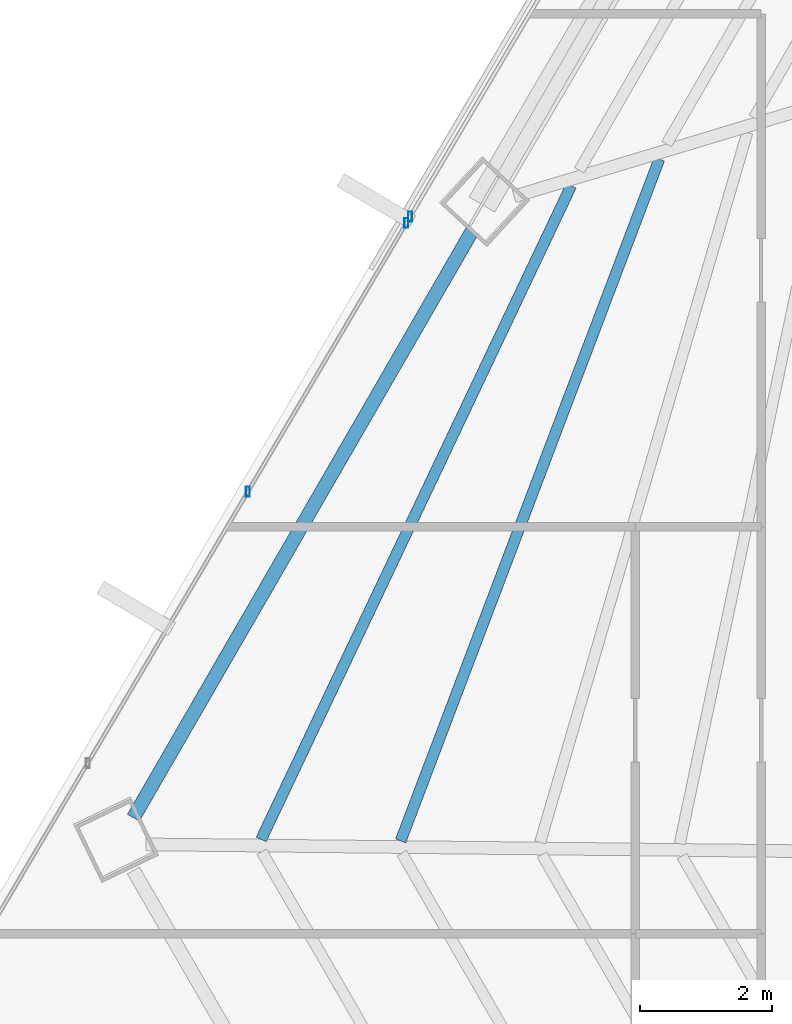
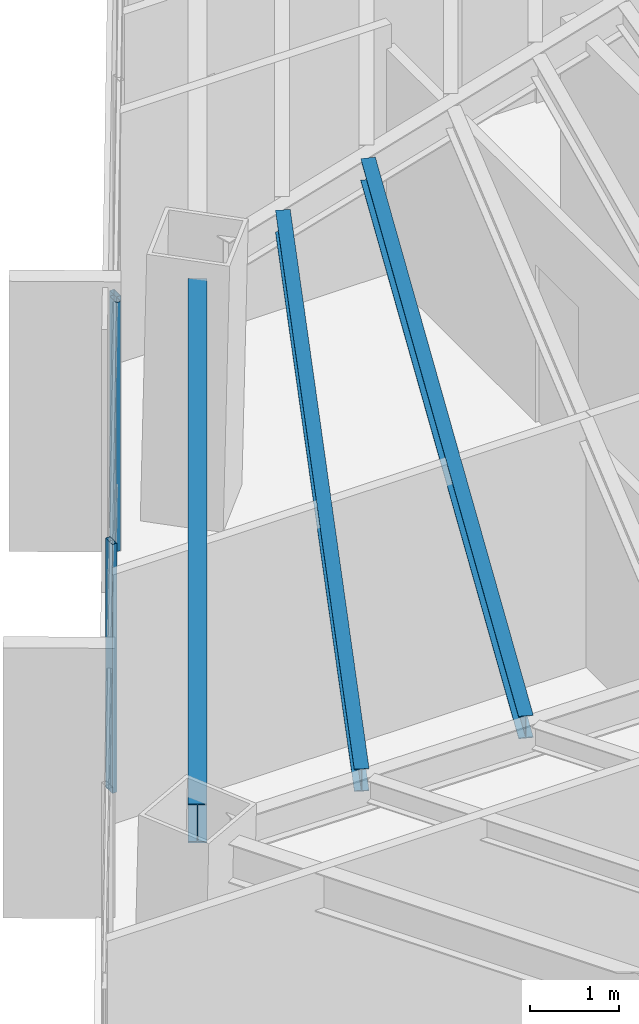
# One storey, part 12 of 41: 3 beams, 3 members, 2 elements without a shape of their own.
"""IFC4 building model written with IfcOpenShell, lengths in metres."""

from ifc_helpers import new_model, si_unit, direction, frame, origin, origin_2d, place, context, subcontext, project, spatial, hollow_rectangle, i_section, extrude, source, transform, mapped, material, material_profile, profile_set, type_object, type_shapes, element, aggregate, save


model = new_model("IFC4")

# Units and contexts
model_context = context("Model", 3, precision=1e-05, world=origin(), true_north=direction((0.0, 1.0)))
body_context = subcontext(model_context, "Body", "Model", "MODEL_VIEW")
ifc_project = project(units=[si_unit("LENGTHUNIT", "METRE"), si_unit("AREAUNIT", "SQUARE_METRE"), si_unit("VOLUMEUNIT", "CUBIC_METRE"), si_unit("PLANEANGLEUNIT", "RADIAN"), si_unit("MASSUNIT", "GRAM", prefix="KILO")], contexts=[model_context])

# Site, building, storey
site_placement = place(None, origin())
site = spatial("IfcSite", under=ifc_project, at=site_placement, CompositionType="ELEMENT")
building_placement = place(site_placement, origin())
building = spatial("IfcBuilding", under=site, at=building_placement, Name="Caelisora Broadcast Tower", CompositionType="ELEMENT")
storey_placement = place(building_placement, frame((0.0, 0.0, 180.39990234375)))
storey = spatial("IfcBuildingStorey", under=building, at=storey_placement, Name="L47", CompositionType="ELEMENT", Elevation=180.39990234375)

# Beams
ifc_material_1 = material(Name="Steel Grade 350 (AS/NZS 3679.1)", Category="steel")
ifc_material_profile_1 = material_profile(ifc_material_1, i_section(OverallWidth=0.208984375, OverallDepth=0.532958984375, WebThickness=0.01025390625, FlangeThickness=0.015625, at=origin_2d()), Name="Steel Grade 350 (AS/NZS 3679.1)")
ifc_profile_set_1 = profile_set([ifc_material_profile_1], Name="Steel Grade 350 (AS/NZS 3679.1)")
beam_type_1 = type_object("IfcBeamType", Name="PG05", PredefinedType="BEAM", material=ifc_profile_set_1)
shared_shape_1 = source(origin(), body_context, "Body", "SweptSolid", [
    extrude(i_section(OverallWidth=0.208984375, OverallDepth=0.532958984375, WebThickness=0.01025390625, FlangeThickness=0.015625, at=origin_2d()), origin(), (0.0, 0.0, 1.0), 10.239501953125),
])
type_shapes(beam_type_1, [shared_shape_1])
beam_1_placement = place(storey_placement, frame((21.0361328125, 26.81982421875, 3.133544921875), z_axis=(-0.500008646395, -0.866020411728, 0.0), x_axis=(0.866020411728, -0.500008646395, 0.0)))
element("IfcBeam", 1, at=beam_1_placement, inside=storey, type_object=beam_type_1, Name="L47 beam PG05", PredefinedType="BEAM", context=body_context, shape_type="MappedRepresentation", body=[
    mapped(shared_shape_1, transform((0.0, 0.0, 0.0), scale=1.0)),
])
ifc_material_profile_2 = material_profile(ifc_material_1, i_section(OverallWidth=0.166015625, OverallDepth=0.30712890625, WebThickness=0.006591796875, FlangeThickness=0.01171875, at=origin_2d()), Name="Steel Grade 350 (AS/NZS 3679.1)")
ifc_profile_set_2 = profile_set([ifc_material_profile_2], Name="Steel Grade 350 (AS/NZS 3679.1)")
beam_type_2 = type_object("IfcBeamType", Name="SB03", PredefinedType="JOIST", material=ifc_profile_set_2)
shared_shape_2 = source(origin(), body_context, "Body", "SweptSolid", [
    extrude(i_section(OverallWidth=0.166015625, OverallDepth=0.30712890625, WebThickness=0.006591796875, FlangeThickness=0.01171875, at=origin_2d()), origin(), (0.0, 0.0, 1.0), 11.01806640625),
])
beam_2_placement = place(storey_placement, frame((23.86279296875, 27.9033203125, 3.24658203125), z_axis=(-0.354777806598, -0.934950644657, 0.0), x_axis=(0.934950644657, -0.354777806598, 0.0)))
element("IfcBeam", 2, at=beam_2_placement, inside=storey, type_object=beam_type_2, Name="L47 beam SB03", PredefinedType="JOIST", context=body_context, shape_type="MappedRepresentation", body=[
    mapped(shared_shape_2, transform((0.0, 0.0, 0.0), scale=1.0)),
])
shared_shape_3 = source(origin(), body_context, "Body", "SweptSolid", [
    extrude(i_section(OverallWidth=0.166015625, OverallDepth=0.30712890625, WebThickness=0.006591796875, FlangeThickness=0.01171875, at=origin_2d()), origin(), (0.0, 0.0, 1.0), 10.932373046875),
])
type_shapes(beam_type_2, [shared_shape_2, shared_shape_3])
beam_3_placement = place(storey_placement, frame((22.53125, 27.501953125, 3.24658203125), z_axis=(-0.428546110992, -0.903519911653, 0.0), x_axis=(0.903519911653, -0.428546110992, 0.0)))
element("IfcBeam", 3, at=beam_3_placement, inside=storey, type_object=beam_type_2, Name="L47 beam SB03", PredefinedType="JOIST", context=body_context, shape_type="MappedRepresentation", body=[
    mapped(shared_shape_3, transform((0.0, 0.0, 0.0), scale=1.0)),
])

# Curtain wall, members
ifc_material_2 = material(Name="Unitised Aluminium and Low-E Glass Curtain Wall", Category="glass")
curtain_wall_type_1 = type_object("IfcCurtainWallType", Name="CW-Z3", PredefinedType="NOTDEFINED", material=ifc_material_2)
curtain_wall_1_placement = place(storey_placement, origin())
curtain_wall_1 = element("IfcCurtainWall", 4, at=curtain_wall_1_placement, inside=storey, type_object=curtain_wall_type_1, Name="L47 curtain wall CW-Z3", PredefinedType="NOTDEFINED")
ifc_material_3 = material(Name="Aluminium 6063-T6 Anodised Terracotta Bronze", Category="aluminium")
ifc_material_profile_3 = material_profile(ifc_material_3, hollow_rectangle(XDim=0.06005859375, YDim=0.14990234375, WallThickness=0.00341796875, at=origin_2d()), Name="Aluminium 6063-T6 Anodised Terracotta Bronze")
ifc_profile_set_3 = profile_set([ifc_material_profile_3], Name="Aluminium 6063-T6 Anodised Terracotta Bronze")
member_type = type_object("IfcMemberType", Name="CWM-03", PredefinedType="MULLION", material=ifc_profile_set_3)
shared_shape_4 = source(origin(), body_context, "Body", "SweptSolid", [
    extrude(hollow_rectangle(XDim=0.06005859375, YDim=0.14990234375, WallThickness=0.00341796875, at=origin_2d()), origin(), (0.0, 0.0, 1.0), 3.400146484375),
])
type_shapes(member_type, [shared_shape_4])
member_1_placement = place(storey_placement, frame((17.646728515625, 22.87939453125, 0.0), z_axis=(0.0, 0.0, 1.0), x_axis=(1.0, 0.0, 0.0)))
member_1 = element("IfcMember", 5, at=member_1_placement, type_object=member_type, Name="L47-CW-B09 mullion #2", PredefinedType="MULLION", context=body_context, shape_type="MappedRepresentation", body=[
    mapped(shared_shape_4, transform((0.0, 0.0, 0.0), scale=1.0)),
])
member_2_placement = place(storey_placement, frame((20.040771484375, 26.937744140625, 0.0), z_axis=(0.0, 0.0, 1.0), x_axis=(1.0, 0.0, 0.0)))
member_2 = element("IfcMember", 6, at=member_2_placement, type_object=member_type, Name="L47-CW-B09 mullion #3", PredefinedType="MULLION", context=body_context, shape_type="MappedRepresentation", body=[
    mapped(shared_shape_4, transform((0.0, 0.0, 0.0), scale=1.0)),
])
aggregate(curtain_wall_1, [member_1, member_2])

# Curtain wall, member
ifc_material_4 = material(Name="Unitised Aluminium Insulated Shadow-Box Spandrel Curtain Wall", Category="aluminium")
curtain_wall_type_2 = type_object("IfcCurtainWallType", Name="CW-SP2", PredefinedType="NOTDEFINED", material=ifc_material_4)
curtain_wall_2_placement = place(storey_placement, origin())
curtain_wall_2 = element("IfcCurtainWall", 7, at=curtain_wall_2_placement, inside=storey, type_object=curtain_wall_type_2, Name="L47 curtain wall CW-SP2", PredefinedType="NOTDEFINED")
member_3_placement = place(storey_placement, frame((20.0966796875, 27.032470703125, 0.0), z_axis=(0.0, 0.0, 1.0), x_axis=(1.0, 0.0, 0.0)))
member_3 = element("IfcMember", 8, at=member_3_placement, type_object=member_type, Name="L47-CW-B10 mullion #0", PredefinedType="MULLION", context=body_context, shape_type="MappedRepresentation", body=[
    mapped(shared_shape_4, transform((0.0, 0.0, 0.0), scale=1.0)),
])
aggregate(curtain_wall_2, [member_3])

save(model, "model.ifc")
